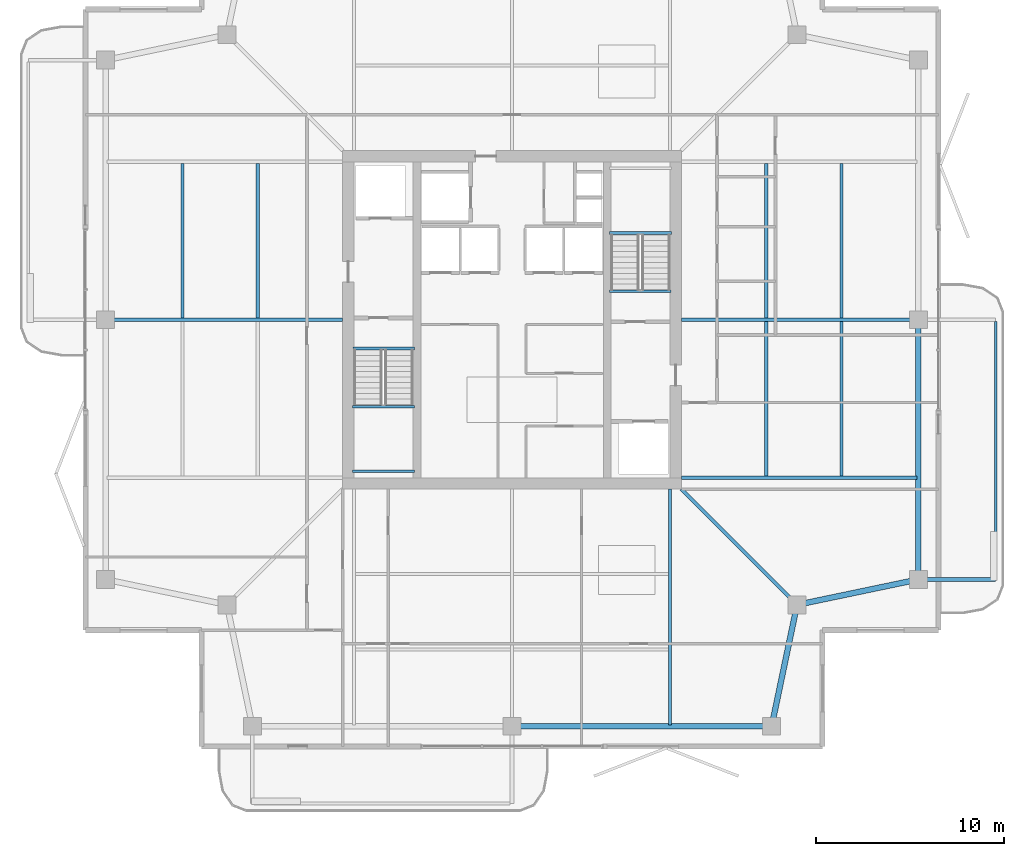
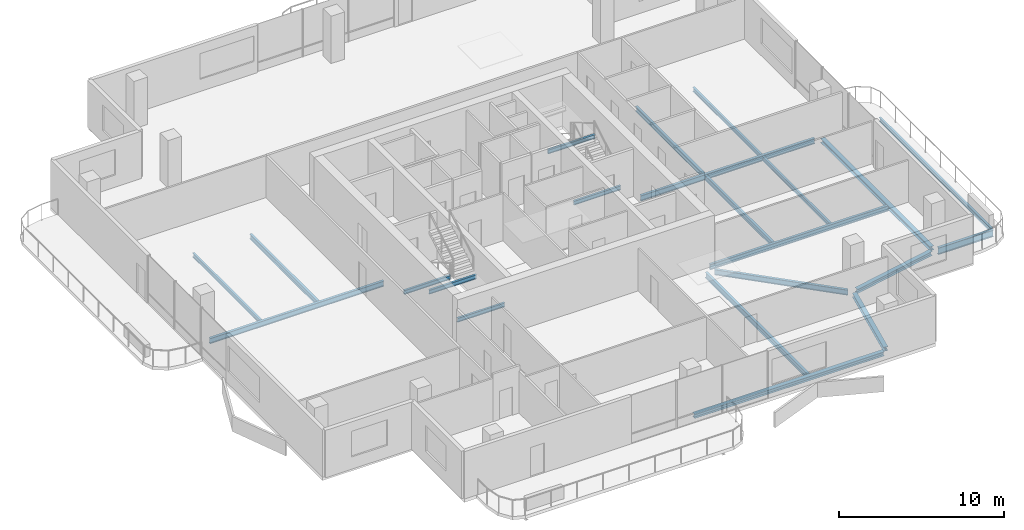
# One storey, part 7 of 17: 22 beams.
"""IFC4 building model written with IfcOpenShell, lengths in metres."""

import ifcopenshell
import ifcopenshell.guid

model = None  # the IFC model being written
_history = None  # IfcOwnerHistory: only IFC2X3 demands one
_inside = {}  # id of a spatial element -> (the spatial element, [elements in it])
_under = {}  # id of a project, library or spatial element -> (it, [spatial elements below it])
_declared = {}  # id of a project -> (the project, [libraries it declares])
_typed = {}  # id of a type object -> (the type object, [elements of that type])
_made_of = {}  # id of a material, layer set ... -> (it, [elements and type objects made of it])


def new_model(schema):
    """Start an empty IFC model of exactly this schema.

    Asked for "IFC4X3", IfcOpenShell would pick the latest addendum, in which some entities
    have other attributes; the version numbers below select the first issue.
    IFC2X3 requires an IfcOwnerHistory on every rooted entity: one is made here for all.
    """
    global model, _history
    if schema == "IFC4X3":
        model = ifcopenshell.file(schema_version=(4, 3, 0, 0))
    else:
        model = ifcopenshell.file(schema=schema)
    _inside.clear()
    _under.clear()
    _declared.clear()
    _typed.clear()
    _made_of.clear()
    _history = None
    if model.schema == "IFC2X3":
        org = make("IfcOrganization", Name="unknown")
        user = make(
            "IfcPersonAndOrganization",
            ThePerson=make("IfcPerson", FamilyName="unknown"),
            TheOrganization=org,
        )
        app = make(
            "IfcApplication",
            ApplicationDeveloper=org,
            Version="unknown",
            ApplicationFullName="unknown",
            ApplicationIdentifier="unknown",
        )
        _history = make(
            "IfcOwnerHistory",
            OwningUser=user,
            OwningApplication=app,
            ChangeAction="ADDED",
            CreationDate=0,
        )
    return model


def make(cls, **values):
    """One entity of the class cls with the attributes given. An attribute that is None is left unset."""
    return model.create_entity(
        cls, **{name: value for name, value in values.items() if value is not None}
    )


def rooted(cls, **values):
    """An entity with a GlobalId (a new one), such as an element, a storey or a relation."""
    return make(cls, GlobalId=ifcopenshell.guid.new(), OwnerHistory=_history, **values)


def si_unit(unit_type, name, prefix=None):
    """IfcSIUnit, for example si_unit("LENGTHUNIT", "METRE", prefix="MILLI")."""
    return make("IfcSIUnit", UnitType=unit_type, Prefix=prefix, Name=name)


def assignment(units):
    """IfcUnitAssignment: the units of a project."""
    return None if units is None else make("IfcUnitAssignment", Units=units)


def point(xyz):
    """IfcCartesianPoint."""
    return None if xyz is None else make("IfcCartesianPoint", Coordinates=xyz)


def direction(xyz):
    """IfcDirection."""
    return None if xyz is None else make("IfcDirection", DirectionRatios=xyz)


def frame(location, z_axis=None, x_axis=None):
    """IfcAxis2Placement3D, a coordinate frame: its origin and axes. An axis left out is left unset."""
    return make(
        "IfcAxis2Placement3D",
        Location=point(location),
        Axis=direction(z_axis),
        RefDirection=direction(x_axis),
    )


def frame_2d(location, x_axis=None):
    """IfcAxis2Placement2D, a coordinate frame in the plane: its origin and x axis."""
    return make(
        "IfcAxis2Placement2D", Location=point(location), RefDirection=direction(x_axis)
    )


def origin():
    """The frame at (0, 0, 0) with its axes left unset."""
    return frame((0.0, 0.0, 0.0))


def origin_2d():
    """The frame at (0, 0) in the plane with its x axis left unset."""
    return frame_2d((0.0, 0.0))


def place(relative_to, where):
    """IfcLocalPlacement: puts the frame where relative to a parent placement (None: the world)."""
    return make(
        "IfcLocalPlacement", PlacementRelTo=relative_to, RelativePlacement=where
    )


def context(
    kind, dimensions, precision=None, world=None, true_north=None, identifier=None
):
    """IfcGeometricRepresentationContext, for example the 3D "Model" context."""
    return make(
        "IfcGeometricRepresentationContext",
        ContextIdentifier=identifier,
        ContextType=kind,
        CoordinateSpaceDimension=dimensions,
        Precision=precision,
        WorldCoordinateSystem=world,
        TrueNorth=true_north,
    )


def subcontext(parent, identifier, kind, view, scale=None):
    """IfcGeometricRepresentationSubContext, for example "Body" below "Model"."""
    return make(
        "IfcGeometricRepresentationSubContext",
        ContextIdentifier=identifier,
        ContextType=kind,
        ParentContext=parent,
        TargetScale=scale,
        TargetView=view,
    )


def project(units=None, contexts=None):
    """IfcProject with its units and contexts."""
    return rooted(
        "IfcProject",
        Name="project",
        RepresentationContexts=contexts,
        UnitsInContext=assignment(units),
    )


def spatial(cls, under=None, at=None, **own):
    """A site, building, storey or space (cls), placed at a placement, below another one or the project."""
    s = rooted(cls, ObjectPlacement=at, **own)
    if under is not None:
        _under.setdefault(under.id(), (under, []))[1].append(s)
    return s


def profile(cls, at=None, kind="AREA", **sizes):
    """A parametric profile (cls). Its sizes go by their IFC names, for example OverallWidth=200.0."""
    return make(cls, ProfileType=kind, Position=at, **sizes)


def i_section(**sizes):
    """IfcIShapeProfileDef."""
    return profile("IfcIShapeProfileDef", **sizes)


def extrude(swept, where, along, depth):
    """IfcExtrudedAreaSolid: the profile swept, set in the frame where, extruded along a direction by depth."""
    return make(
        "IfcExtrudedAreaSolid",
        SweptArea=swept,
        Position=where,
        ExtrudedDirection=direction(along),
        Depth=depth,
    )


def shape(context_of_items, identifier, shape_type, items):
    """IfcShapeRepresentation: the items that make up one representation, for example the "Body"."""
    return make(
        "IfcShapeRepresentation",
        ContextOfItems=context_of_items,
        RepresentationIdentifier=identifier,
        RepresentationType=shape_type,
        Items=items,
    )


def material(Name=None, Category=None):
    """IfcMaterial."""
    return make("IfcMaterial", Name=Name, Category=Category)


def material_profile(
    of_material, cross_section, Name=None, Category=None, Priority=None
):
    """IfcMaterialProfile: a cross section and its material."""
    return make(
        "IfcMaterialProfile",
        Name=Name,
        Material=of_material,
        Profile=cross_section,
        Priority=Priority,
        Category=Category,
    )


def profile_set(profiles, Name=None, composite=None):
    """IfcMaterialProfileSet."""
    return make(
        "IfcMaterialProfileSet",
        Name=Name,
        MaterialProfiles=profiles,
        CompositeProfile=composite,
    )


def made_of(thing, what):
    """Note that an element or type object is made of a material, layer set ...; save() writes the relation."""
    if what is not None:
        _made_of.setdefault(what.id(), (what, []))[1].append(thing)
    return thing


def type_object(cls, material=None, **own):
    """A type object (cls), such as IfcWallType, which elements share."""
    return made_of(rooted(cls, **own), material)


def element(
    cls,
    number,
    at=None,
    inside=None,
    cuts=None,
    type_object=None,
    material=None,
    context=None,
    identifier="Body",
    shape_type=None,
    held_by="IfcProductDefinitionShape",
    body=None,
    shapes=None,
    **own,
):
    """One element of the class cls, such as IfcWall. Its Tag is "e" and its number.

    at: its placement. inside: the storey or other place that contains it. cuts: it is an
    opening in that element (IfcRelVoidsElement). A single representation is given by context,
    identifier, shape_type and body (its items); several are given by shapes. held_by: the class
    of the entity that holds the representations. save() writes the other relations.
    """
    e = rooted(cls, Tag="e%d" % number, ObjectPlacement=at, **own)
    if body is not None:
        shapes = [shape(context, identifier, shape_type, body)]
    if shapes is not None:
        e.Representation = make(held_by, Representations=shapes)
    if inside is not None:
        _inside.setdefault(inside.id(), (inside, []))[1].append(e)
    if cuts is not None:
        rooted(
            "IfcRelVoidsElement", RelatingBuildingElement=cuts, RelatedOpeningElement=e
        )
    if type_object is not None:
        _typed.setdefault(type_object.id(), (type_object, []))[1].append(e)
    return made_of(e, material)


def aggregate(whole, parts):
    """IfcRelAggregates: a whole, such as a stair, and the parts it consists of."""
    return rooted("IfcRelAggregates", RelatingObject=whole, RelatedObjects=parts)


def save(model, path):
    """Write the relations noted so far, then the file.

    IfcRelAggregates (storeys below a building ...), IfcRelContainedInSpatialStructure (elements
    in a storey), IfcRelDefinesByType, IfcRelAssociatesMaterial and IfcRelDeclares: one each for
    every whole, place, type object, material and project.
    """
    for whole, parts in _under.values():
        aggregate(whole, parts)
    for where, things in _inside.values():
        rooted(
            "IfcRelContainedInSpatialStructure",
            RelatedElements=things,
            RelatingStructure=where,
        )
    for kind, things in _typed.values():
        rooted("IfcRelDefinesByType", RelatedObjects=things, RelatingType=kind)
    for what, things in _made_of.values():
        rooted("IfcRelAssociatesMaterial", RelatedObjects=things, RelatingMaterial=what)
    for by, libraries in _declared.values():
        rooted("IfcRelDeclares", RelatingContext=by, RelatedDefinitions=libraries)
    model.write(path)


model = new_model("IFC4")

# Units and contexts
model_context = context("Model", 3, precision=1e-05, world=origin(), true_north=direction((0.0, 1.0)))
body_context = subcontext(model_context, "Body", "Model", "MODEL_VIEW")
ifc_project = project(units=[si_unit("LENGTHUNIT", "METRE"), si_unit("AREAUNIT", "SQUARE_METRE"), si_unit("VOLUMEUNIT", "CUBIC_METRE"), si_unit("PLANEANGLEUNIT", "RADIAN"), si_unit("MASSUNIT", "GRAM", prefix="KILO")], contexts=[model_context])

# Site, building, storey
site_placement = place(None, origin())
site = spatial("IfcSite", under=ifc_project, at=site_placement, CompositionType="ELEMENT")
building_placement = place(site_placement, origin())
building = spatial("IfcBuilding", under=site, at=building_placement, Name="Belovzor Exchange Tower", CompositionType="ELEMENT")
storey_placement = place(building_placement, frame((0.0, 0.0, 325.5)))
storey = spatial("IfcBuildingStorey", under=building, at=storey_placement, Name="L81", CompositionType="ELEMENT", Elevation=325.5)

# Beams
ifc_material_1 = material(Name="Steel S355", Category="steel")
ifc_material_profile_1 = material_profile(ifc_material_1, i_section(OverallWidth=0.199951171875, OverallDepth=0.5, WebThickness=0.01025390625, FlangeThickness=0.01611328125, at=origin_2d()))
ifc_profile_set_1 = profile_set([ifc_material_profile_1], Name="Steel S355")
beam_type_1 = type_object("IfcBeamType", Name="Planted Balcony Cantilever Beam IPE 500", PredefinedType="BEAM", material=ifc_profile_set_1)
beam_1_placement = place(storey_placement, frame((50.660888671875, 15.0, -0.489990234375), z_axis=(1.0, 0.0, 0.0), x_axis=(0.0, 1.0, 0.0)))
element("IfcBeam", 1, at=beam_1_placement, inside=storey, type_object=beam_type_1, Name="BC-500 Planted Balcony Cantilever Beam IPE 500", PredefinedType="BEAM", context=body_context, shape_type="SweptSolid", body=[
    extrude(i_section(OverallWidth=0.199951171875, OverallDepth=0.5, WebThickness=0.01025390625, FlangeThickness=0.01611328125, at=origin_2d()), origin(), (0.0, 0.0, 1.0), 3.85009765625),
])
ifc_material_2 = material(Name="Steel S355", Category="steel")
ifc_material_profile_2 = material_profile(ifc_material_2, i_section(OverallWidth=0.14990234375, OverallDepth=0.300048828125, WebThickness=0.007080078125, FlangeThickness=0.0107421875, at=origin_2d()))
ifc_profile_set_2 = profile_set([ifc_material_profile_2], Name="Steel S355")
beam_type_2 = type_object("IfcBeamType", Name="Planted Balcony Fascia Edge Beam IPE 300", PredefinedType="BEAM", material=ifc_profile_set_2)
beam_2_placement = place(storey_placement, frame((54.510986328125, 15.10009765625, -0.389892578125), z_axis=(0.0, 1.0, 0.0), x_axis=(-1.0, 0.0, 0.0)))
element("IfcBeam", 2, at=beam_2_placement, inside=storey, type_object=beam_type_2, Name="BC-300 Planted Balcony Fascia Edge Beam IPE 300", PredefinedType="BEAM", context=body_context, shape_type="SweptSolid", body=[
    extrude(i_section(OverallWidth=0.14990234375, OverallDepth=0.300048828125, WebThickness=0.007080078125, FlangeThickness=0.0107421875, at=origin_2d()), origin(), (0.0, 0.0, 1.0), 13.599853515625),
])
ifc_material_3 = material(Name="Steel S355", Category="steel")
ifc_material_profile_3 = material_profile(ifc_material_3, i_section(OverallWidth=0.169921875, OverallDepth=0.360107421875, WebThickness=0.008056640625, FlangeThickness=0.0126953125, at=origin_2d()))
ifc_profile_set_3 = profile_set([ifc_material_profile_3], Name="Steel S355")
beam_type_3 = type_object("IfcBeamType", Name="Secondary Infill Floor Joist IPE 360", PredefinedType="BEAM", material=ifc_profile_set_3)
beam_3_placement = place(storey_placement, frame((15.291015625, 28.889892578125, -0.419921875), z_axis=(0.0, 1.0, 0.0), x_axis=(-1.0, 0.0, 0.0)))
element("IfcBeam", 3, at=beam_3_placement, inside=storey, type_object=beam_type_3, Name="FJ-360 Secondary Infill Floor Joist IPE 360", PredefinedType="BEAM", context=body_context, shape_type="SweptSolid", body=[
    extrude(i_section(OverallWidth=0.169921875, OverallDepth=0.360107421875, WebThickness=0.008056640625, FlangeThickness=0.0126953125, at=origin_2d()), origin(), (0.0, 0.0, 1.0), 8.22021484375),
])
beam_4_placement = place(storey_placement, frame((42.30908203125, 20.489990234375, -0.419921875), z_axis=(0.0, 1.0, 0.0), x_axis=(-1.0, 0.0, 0.0)))
element("IfcBeam", 4, at=beam_4_placement, inside=storey, type_object=beam_type_3, Name="FJ-360 Secondary Infill Floor Joist IPE 360", PredefinedType="BEAM", context=body_context, shape_type="SweptSolid", body=[
    extrude(i_section(OverallWidth=0.169921875, OverallDepth=0.360107421875, WebThickness=0.008056640625, FlangeThickness=0.0126953125, at=origin_2d()), origin(), (0.0, 0.0, 1.0), 8.219970703125),
])
beam_5_placement = place(storey_placement, frame((42.30908203125, 28.889892578125, -0.419921875), z_axis=(0.0, 1.0, 0.0), x_axis=(-1.0, 0.0, 0.0)))
element("IfcBeam", 5, at=beam_5_placement, inside=storey, type_object=beam_type_3, Name="FJ-360 Secondary Infill Floor Joist IPE 360", PredefinedType="BEAM", context=body_context, shape_type="SweptSolid", body=[
    extrude(i_section(OverallWidth=0.169921875, OverallDepth=0.360107421875, WebThickness=0.008056640625, FlangeThickness=0.0126953125, at=origin_2d()), origin(), (0.0, 0.0, 1.0), 8.22021484375),
])
ifc_material_4 = material(Name="Steel S355", Category="steel")
ifc_material_profile_4 = material_profile(ifc_material_4, i_section(OverallWidth=0.14990234375, OverallDepth=0.300048828125, WebThickness=0.007080078125, FlangeThickness=0.0107421875, at=origin_2d()))
ifc_profile_set_4 = profile_set([ifc_material_profile_4], Name="Steel S355")
beam_type_4 = type_object("IfcBeamType", Name="Secondary Trim Floor Joist IPE 300", PredefinedType="BEAM", material=ifc_profile_set_4)
for number, where, z_axis, x_axis, name in (
    (6, (20.320068359375, 24.179931640625, 1.52490234375), (1.0, 0.0, 0.0), (0.0, 1.0, 0.0), "FJ-300 Secondary Trim Floor Joist IPE 300"),
    (7, (20.320068359375, 20.75, 1.52490234375), (1.0, 0.0, 0.0), (0.0, 1.0, 0.0), "FJ-300 Secondary Trim Floor Joist IPE 300"),
):
    element("IfcBeam", number, at=place(storey_placement, frame(where, z_axis=z_axis, x_axis=x_axis)), inside=storey, type_object=beam_type_4, Name=name, PredefinedType="BEAM", context=body_context, shape_type="SweptSolid", body=[
        extrude(i_section(OverallWidth=0.14990234375, OverallDepth=0.300048828125, WebThickness=0.007080078125, FlangeThickness=0.0107421875, at=origin_2d()), origin(), (0.0, 0.0, 1.0), 3.309814453125),
    ])
beam_6_placement = place(storey_placement, frame((20.340087890625, 27.280029296875, -0.389892578125), z_axis=(1.0, 0.0, 0.0), x_axis=(0.0, 1.0, 0.0)))
element("IfcBeam", 8, at=beam_6_placement, inside=storey, type_object=beam_type_4, Name="FJ-300 Secondary Trim Floor Joist IPE 300", PredefinedType="BEAM", context=body_context, shape_type="SweptSolid", body=[
    extrude(i_section(OverallWidth=0.14990234375, OverallDepth=0.300048828125, WebThickness=0.007080078125, FlangeThickness=0.0107421875, at=origin_2d()), origin(), (0.0, 0.0, 1.0), 3.27001953125),
])
beam_7_placement = place(storey_placement, frame((37.280029296875, 33.419921875, 1.52490234375), z_axis=(-1.0, 0.0, 0.0), x_axis=(0.0, -1.0, 0.0)))
element("IfcBeam", 9, at=beam_7_placement, inside=storey, type_object=beam_type_4, Name="FJ-300 Secondary Trim Floor Joist IPE 300", PredefinedType="BEAM", context=body_context, shape_type="SweptSolid", body=[
    extrude(i_section(OverallWidth=0.14990234375, OverallDepth=0.300048828125, WebThickness=0.007080078125, FlangeThickness=0.0107421875, at=origin_2d()), origin(), (0.0, 0.0, 1.0), 3.31005859375),
])
beam_8_placement = place(storey_placement, frame((37.260009765625, 30.320068359375, -0.389892578125), z_axis=(-1.0, 0.0, 0.0), x_axis=(0.0, -1.0, 0.0)))
element("IfcBeam", 10, at=beam_8_placement, inside=storey, type_object=beam_type_4, Name="FJ-300 Secondary Trim Floor Joist IPE 300", PredefinedType="BEAM", context=body_context, shape_type="SweptSolid", body=[
    extrude(i_section(OverallWidth=0.14990234375, OverallDepth=0.300048828125, WebThickness=0.007080078125, FlangeThickness=0.0107421875, at=origin_2d()), origin(), (0.0, 0.0, 1.0), 3.27001953125),
])
beam_9_placement = place(storey_placement, frame((11.282958984375, 28.889892578125, -0.389892578125), z_axis=(0.0, 1.0, 0.0), x_axis=(-1.0, 0.0, 0.0)))
element("IfcBeam", 11, at=beam_9_placement, inside=storey, type_object=beam_type_4, Name="FJ-300 Secondary Trim Floor Joist IPE 300", PredefinedType="BEAM", context=body_context, shape_type="SweptSolid", body=[
    extrude(i_section(OverallWidth=0.14990234375, OverallDepth=0.300048828125, WebThickness=0.007080078125, FlangeThickness=0.0107421875, at=origin_2d()), origin(), (0.0, 0.0, 1.0), 8.22021484375),
])
beam_10_placement = place(storey_placement, frame((46.31689453125, 20.489990234375, -0.389892578125), z_axis=(0.0, 1.0, 0.0), x_axis=(-1.0, 0.0, 0.0)))
element("IfcBeam", 12, at=beam_10_placement, inside=storey, type_object=beam_type_4, Name="FJ-300 Secondary Trim Floor Joist IPE 300", PredefinedType="BEAM", context=body_context, shape_type="SweptSolid", body=[
    extrude(i_section(OverallWidth=0.14990234375, OverallDepth=0.300048828125, WebThickness=0.007080078125, FlangeThickness=0.0107421875, at=origin_2d()), origin(), (0.0, 0.0, 1.0), 8.219970703125),
])
beam_11_placement = place(storey_placement, frame((46.31689453125, 28.889892578125, -0.389892578125), z_axis=(0.0, 1.0, 0.0), x_axis=(-1.0, 0.0, 0.0)))
element("IfcBeam", 13, at=beam_11_placement, inside=storey, type_object=beam_type_4, Name="FJ-300 Secondary Trim Floor Joist IPE 300", PredefinedType="BEAM", context=body_context, shape_type="SweptSolid", body=[
    extrude(i_section(OverallWidth=0.14990234375, OverallDepth=0.300048828125, WebThickness=0.007080078125, FlangeThickness=0.0107421875, at=origin_2d()), origin(), (0.0, 0.0, 1.0), 8.22021484375),
])
ifc_material_5 = material(Name="Steel S355", Category="steel")
ifc_material_profile_5 = material_profile(ifc_material_5, i_section(OverallWidth=0.179931640625, OverallDepth=0.39990234375, WebThickness=0.008544921875, FlangeThickness=0.013427734375, at=origin_2d()))
ifc_profile_set_5 = profile_set([ifc_material_profile_5], Name="Steel S355")
beam_type_5 = type_object("IfcBeamType", Name="Zone 5-6 Radial Composite Floor Beam IPE 400", PredefinedType="BEAM", material=ifc_profile_set_5)
beam_12_placement = place(storey_placement, frame((37.199951171875, 19.800048828125, -0.43994140625), z_axis=(0.0, -1.0, 0.0), x_axis=(1.0, 0.0, 0.0)))
element("IfcBeam", 14, at=beam_12_placement, inside=storey, type_object=beam_type_5, Name="FB-400 Zone 5-6 Radial Composite Floor Beam IPE 400", PredefinedType="BEAM", context=body_context, shape_type="SweptSolid", body=[
    extrude(i_section(OverallWidth=0.179931640625, OverallDepth=0.39990234375, WebThickness=0.008544921875, FlangeThickness=0.013427734375, at=origin_2d()), origin(), (0.0, 0.0, 1.0), 12.525146484375),
])
beam_13_placement = place(storey_placement, frame((19.800048828125, 28.800048828125, -0.43994140625), z_axis=(-1.0, 0.0, 0.0), x_axis=(0.0, -1.0, 0.0)))
element("IfcBeam", 15, at=beam_13_placement, inside=storey, type_object=beam_type_5, Name="FB-400 Zone 5-6 Radial Composite Floor Beam IPE 400", PredefinedType="BEAM", context=body_context, shape_type="SweptSolid", body=[
    extrude(i_section(OverallWidth=0.179931640625, OverallDepth=0.39990234375, WebThickness=0.008544921875, FlangeThickness=0.013427734375, at=origin_2d()), origin(), (0.0, 0.0, 1.0), 12.18212890625),
])
beam_14_placement = place(storey_placement, frame((37.800048828125, 20.39990234375, -0.43994140625), z_axis=(1.0, 0.0, 0.0), x_axis=(0.0, 1.0, 0.0)))
element("IfcBeam", 16, at=beam_14_placement, inside=storey, type_object=beam_type_5, Name="FB-400 Zone 5-6 Radial Composite Floor Beam IPE 400", PredefinedType="BEAM", context=body_context, shape_type="SweptSolid", body=[
    extrude(i_section(OverallWidth=0.179931640625, OverallDepth=0.39990234375, WebThickness=0.008544921875, FlangeThickness=0.013427734375, at=origin_2d()), origin(), (0.0, 0.0, 1.0), 12.52490234375),
])
beam_15_placement = place(storey_placement, frame((37.800048828125, 28.800048828125, -0.43994140625), z_axis=(1.0, 0.0, 0.0), x_axis=(0.0, 1.0, 0.0)))
element("IfcBeam", 17, at=beam_15_placement, inside=storey, type_object=beam_type_5, Name="FB-400 Zone 5-6 Radial Composite Floor Beam IPE 400", PredefinedType="BEAM", context=body_context, shape_type="SweptSolid", body=[
    extrude(i_section(OverallWidth=0.179931640625, OverallDepth=0.39990234375, WebThickness=0.008544921875, FlangeThickness=0.013427734375, at=origin_2d()), origin(), (0.0, 0.0, 1.0), 12.181884765625),
])
beam_16_placement = place(storey_placement, frame((37.800048828125, 19.800048828125, -0.43994140625), z_axis=(0.707150577091, -0.707062982569, 0.0), x_axis=(0.707062982569, 0.707150577091, 0.0)))
element("IfcBeam", 18, at=beam_16_placement, inside=storey, type_object=beam_type_5, Name="FB-400 Zone 5-6 Radial Composite Floor Beam IPE 400", PredefinedType="BEAM", context=body_context, shape_type="SweptSolid", body=[
    extrude(i_section(OverallWidth=0.179931640625, OverallDepth=0.39990234375, WebThickness=0.008544921875, FlangeThickness=0.013427734375, at=origin_2d()), origin(), (0.0, 0.0, 1.0), 8.361572265625),
])
ifc_material_6 = material(Name="Steel S355", Category="steel")
ifc_material_profile_6 = material_profile(ifc_material_6, i_section(OverallWidth=0.300048828125, OverallDepth=0.300048828125, WebThickness=0.008544921875, FlangeThickness=0.013916015625, at=origin_2d()))
ifc_profile_set_6 = profile_set([ifc_material_profile_6], Name="Steel S355")
beam_type_6 = type_object("IfcBeamType", Name="Zone 6 Primary Girder HEA 300", PredefinedType="BEAM", material=ifc_profile_set_6)
beam_17_placement = place(storey_placement, frame((29.06103515625, 7.199951171875, -0.389892578125), z_axis=(1.0, 0.0, 0.0), x_axis=(0.0, 1.0, 0.0)))
element("IfcBeam", 19, at=beam_17_placement, inside=storey, type_object=beam_type_6, Name="FG-Z6 Zone 6 Primary Girder HEA 300", PredefinedType="BEAM", context=body_context, shape_type="SweptSolid", body=[
    extrude(i_section(OverallWidth=0.300048828125, OverallDepth=0.300048828125, WebThickness=0.008544921875, FlangeThickness=0.013916015625, at=origin_2d()), origin(), (0.0, 0.0, 1.0), 13.278076171875),
])
for number, where, z_axis, x_axis, name in (
    (20, (42.654052734375, 7.4560546875, -0.389892578125), (0.204722380619, 0.978820078908, 0.0), (-0.978820078908, 0.204722380619, 0.0), "FG-Z6 Zone 6 Primary Girder HEA 300"),
    (21, (44.2060546875, 13.7041015625, -0.389892578125), (0.978820078908, 0.204722380619, 0.0), (-0.204722380619, 0.978820078908, 0.0), "FG-Z6 Zone 6 Primary Girder HEA 300"),
):
    element("IfcBeam", number, at=place(storey_placement, frame(where, z_axis=z_axis, x_axis=x_axis)), inside=storey, type_object=beam_type_6, Name=name, PredefinedType="BEAM", context=body_context, shape_type="SweptSolid", body=[
        extrude(i_section(OverallWidth=0.300048828125, OverallDepth=0.300048828125, WebThickness=0.008544921875, FlangeThickness=0.013916015625, at=origin_2d()), origin(), (0.0, 0.0, 1.0), 6.06640625),
    ])
beam_18_placement = place(storey_placement, frame((50.39990234375, 15.260986328125, -0.389892578125), z_axis=(0.0, 1.0, 0.0), x_axis=(-1.0, 0.0, 0.0)))
element("IfcBeam", 22, at=beam_18_placement, inside=storey, type_object=beam_type_6, Name="FG-Z6 Zone 6 Primary Girder HEA 300", PredefinedType="BEAM", context=body_context, shape_type="SweptSolid", body=[
    extrude(i_section(OverallWidth=0.300048828125, OverallDepth=0.300048828125, WebThickness=0.008544921875, FlangeThickness=0.013916015625, at=origin_2d()), origin(), (0.0, 0.0, 1.0), 13.278076171875),
])

save(model, "model.ifc")
